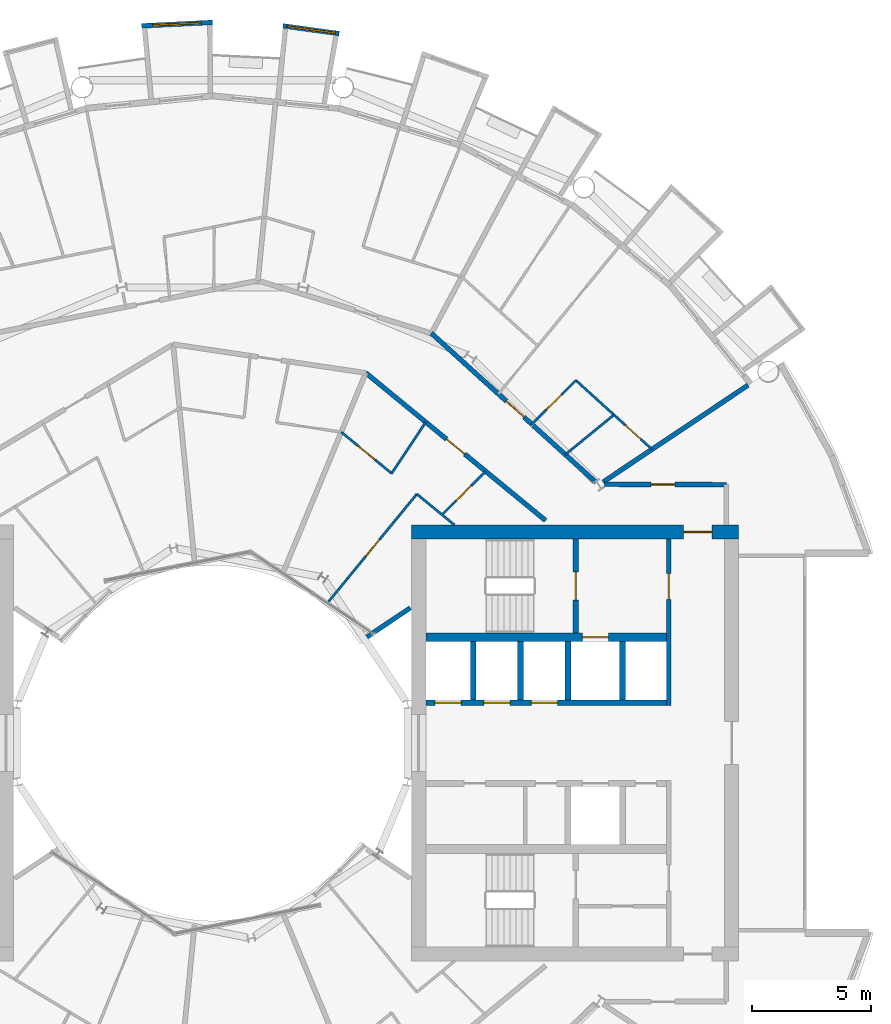
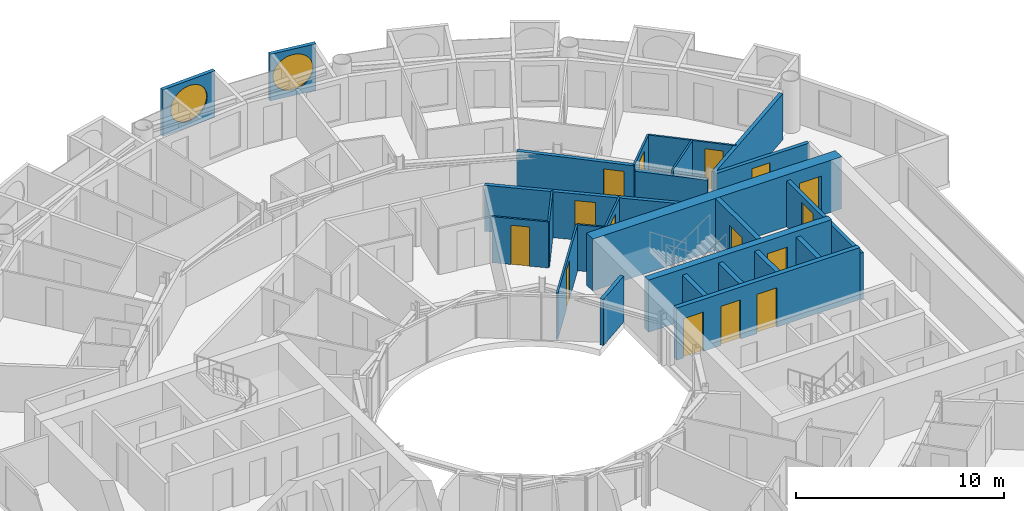
# One storey, part 22 of 28: 25 walls, 15 doors, 2 windows, 17 openings.
"""IFC4 building model written with IfcOpenShell, lengths in metres."""

from ifc_helpers import new_model, si_unit, direction, frame, frame_2d, origin, place, context, subcontext, project, spatial, rectangle, circle, extrude, material, layer, layer_set, type_object, element, fill, save


model = new_model("IFC4")

# Units and contexts
model_context = context("Model", 3, precision=1e-05, world=origin(), true_north=direction((0.0, 1.0)))
body_context = subcontext(model_context, "Body", "Model", "MODEL_VIEW")
ifc_project = project(units=[si_unit("LENGTHUNIT", "METRE"), si_unit("AREAUNIT", "SQUARE_METRE"), si_unit("VOLUMEUNIT", "CUBIC_METRE"), si_unit("PLANEANGLEUNIT", "RADIAN"), si_unit("MASSUNIT", "GRAM", prefix="KILO")], contexts=[model_context])

# Site, building, storey
site_placement = place(None, origin())
site = spatial("IfcSite", under=ifc_project, at=site_placement, CompositionType="ELEMENT")
building_placement = place(site_placement, origin())
building = spatial("IfcBuilding", under=site, at=building_placement, Name="Maasbend Ring Residences", CompositionType="ELEMENT")
storey_placement = place(building_placement, frame((0.0, 0.0, 133.0)))
storey = spatial("IfcBuildingStorey", under=building, at=storey_placement, Name="L38", CompositionType="ELEMENT", Elevation=133.0)

# Wall, openings, doors
ifc_material_1 = material(Name="Concrete C60/75", Category="concrete")
ifc_layer_1 = layer(ifc_material_1, 0.25)
ifc_layer_set_1 = layer_set([ifc_layer_1], Name="Concrete C60/75")
wall_type_1 = type_object("IfcWallType", Name="CORE WALL 250 C60/75", PredefinedType="SHEAR", material=ifc_layer_set_1)
wall_1_placement = place(storey_placement, frame((9.0, 1.699951171875, 0.0), z_axis=(0.0, 0.0, 1.0), x_axis=(1.0, 0.0, 0.0)))
wall_1 = element("IfcWall", 1, at=wall_1_placement, inside=storey, type_object=wall_type_1, Name="L38 core E wall SPN", PredefinedType="SHEAR", context=body_context, shape_type="SweptSolid", body=[
    extrude(rectangle(XDim=10.14990234375, YDim=0.25, at=frame_2d((5.074951171875, 0.0))), origin(), (0.0, 0.0, 1.0), 3.050048828125),
])
opening_1_placement = place(wall_1_placement, frame((0.387451171875, 0.0, 0.0)))
opening_1 = element("IfcOpeningElement", 2, at=opening_1_placement, cuts=wall_1, Name="Opening LD-E3801", PredefinedType="OPENING", context=body_context, shape_type="SweptSolid", body=[
    extrude(rectangle(XDim=1.10009765625, YDim=2.300048828125, at=frame_2d((0.550048828125, 1.14990234375))), frame((0.0, 0.135009765625, 0.0), z_axis=(0.0, -1.0, 0.0), x_axis=(1.0, 0.0, 0.0)), (0.0, 0.0, 1.0), 0.27001953125),
])
opening_2_placement = place(wall_1_placement, frame((2.449951171875, 0.0, 0.0)))
opening_2 = element("IfcOpeningElement", 3, at=opening_2_placement, cuts=wall_1, Name="Opening LD-E3802", PredefinedType="OPENING", context=body_context, shape_type="SweptSolid", body=[
    extrude(rectangle(XDim=1.10009765625, YDim=2.300048828125, at=frame_2d((0.550048828125, 1.14990234375))), frame((0.0, 0.135009765625, 0.0), z_axis=(0.0, -1.0, 0.0), x_axis=(1.0, 0.0, 0.0)), (0.0, 0.0, 1.0), 0.27001953125),
])
opening_3_placement = place(wall_1_placement, frame((4.449951171875, 0.0, 0.0)))
opening_3 = element("IfcOpeningElement", 4, at=opening_3_placement, cuts=wall_1, Name="Opening LD-E3803", PredefinedType="OPENING", context=body_context, shape_type="SweptSolid", body=[
    extrude(rectangle(XDim=1.10009765625, YDim=2.300048828125, at=frame_2d((0.550048828125, 1.14990234375))), frame((0.0, 0.135009765625, 0.0), z_axis=(0.0, -1.0, 0.0), x_axis=(1.0, 0.0, 0.0)), (0.0, 0.0, 1.0), 0.27001953125),
])
ifc_material_2 = material(Name="Stainless steel 316", Category="steel")
door_type_1 = type_object("IfcDoorType", Name="LANDING DOOR 1100 X 2300 FD60", OperationType="DOUBLE_DOOR_SLIDING", PredefinedType="DOOR", material=ifc_material_2)
door_1_placement = place(opening_1_placement, origin())
door_1 = element("IfcDoor", 5, at=door_1_placement, inside=storey, type_object=door_type_1, Name="Landing door LR-E1 L38", OperationType="DOUBLE_DOOR_SLIDING", OverallHeight=2.300048828125, OverallWidth=1.10009765625, PredefinedType="DOOR", context=body_context, shape_type="SweptSolid", body=[
    extrude(rectangle(XDim=1.10009765625, YDim=2.300048828125, at=frame_2d((0.550048828125, 1.14990234375))), frame((0.0, 0.02490234375, 0.0), z_axis=(0.0, -1.0, 0.0), x_axis=(1.0, 0.0, 0.0)), (0.0, 0.0, 1.0), 0.050048828125),
])
fill(opening_1, door_1)
door_2_placement = place(opening_2_placement, origin())
door_2 = element("IfcDoor", 6, at=door_2_placement, inside=storey, type_object=door_type_1, Name="Landing door LR-E2 L38", OperationType="DOUBLE_DOOR_SLIDING", OverallHeight=2.300048828125, OverallWidth=1.10009765625, PredefinedType="DOOR", context=body_context, shape_type="SweptSolid", body=[
    extrude(rectangle(XDim=1.10009765625, YDim=2.300048828125, at=frame_2d((0.550048828125, 1.14990234375))), frame((0.0, 0.02490234375, 0.0), z_axis=(0.0, -1.0, 0.0), x_axis=(1.0, 0.0, 0.0)), (0.0, 0.0, 1.0), 0.050048828125),
])
fill(opening_2, door_2)
door_3_placement = place(opening_3_placement, origin())
door_3 = element("IfcDoor", 7, at=door_3_placement, inside=storey, type_object=door_type_1, Name="Landing door LR-E3 L38", OperationType="DOUBLE_DOOR_SLIDING", OverallHeight=2.300048828125, OverallWidth=1.10009765625, PredefinedType="DOOR", context=body_context, shape_type="SweptSolid", body=[
    extrude(rectangle(XDim=1.10009765625, YDim=2.300048828125, at=frame_2d((0.550048828125, 1.14990234375))), frame((0.0, 0.02490234375, 0.0), z_axis=(0.0, -1.0, 0.0), x_axis=(1.0, 0.0, 0.0)), (0.0, 0.0, 1.0), 0.050048828125),
])
fill(opening_3, door_3)

# Wall, opening, door
wall_2_placement = place(storey_placement, frame((15.324951171875, 4.64990234375, 0.0), z_axis=(0.0, 0.0, 1.0), x_axis=(0.0, 1.0, 0.0)))
wall_2 = element("IfcWall", 8, at=wall_2_placement, inside=storey, type_object=wall_type_1, Name="L38 core E wall STEN", PredefinedType="SHEAR", context=body_context, shape_type="SweptSolid", body=[
    extrude(rectangle(XDim=3.9501953125, YDim=0.25, at=frame_2d((1.97509765625, 0.0))), origin(), (0.0, 0.0, 1.0), 3.050048828125),
])
opening_4_placement = place(wall_2_placement, frame((1.375, 0.0, 0.0)))
opening_4 = element("IfcOpeningElement", 9, at=opening_4_placement, cuts=wall_2, Name="Opening D-E3810", PredefinedType="OPENING", context=body_context, shape_type="SweptSolid", body=[
    extrude(rectangle(XDim=1.199951171875, YDim=2.300048828125, at=frame_2d((0.60009765625, 1.14990234375))), frame((0.0, 0.135009765625, 0.0), z_axis=(0.0, -1.0, 0.0), x_axis=(1.0, 0.0, 0.0)), (0.0, 0.0, 1.0), 0.27001953125),
])
ifc_material_3 = material(Name="Steel, powder coated", Category="steel")
door_type_2 = type_object("IfcDoorType", Name="STAIR DOOR 1200 X 2300 FD60", OperationType="NOTDEFINED", PredefinedType="DOOR", material=ifc_material_3)
door_4_placement = place(opening_4_placement, origin())
door_4 = element("IfcDoor", 10, at=door_4_placement, inside=storey, type_object=door_type_2, Name="Stair door ST-E L38", OperationType="SINGLE_SWING_LEFT", OverallHeight=2.300048828125, OverallWidth=1.199951171875, PredefinedType="DOOR", context=body_context, shape_type="SweptSolid", body=[
    extrude(rectangle(XDim=1.199951171875, YDim=2.300048828125, at=frame_2d((0.60009765625, 1.14990234375))), frame((0.0, 0.02490234375, 0.0), z_axis=(0.0, -1.0, 0.0), x_axis=(1.0, 0.0, 0.0)), (0.0, 0.0, 1.0), 0.050048828125),
])
fill(opening_4, door_4)

ifc_material_4 = material(Name="Concrete C60/75", Category="concrete")
ifc_layer_2 = layer(ifc_material_4, 0.375)
ifc_layer_set_2 = layer_set([ifc_layer_2], Name="Concrete C60/75")
wall_type_2 = type_object("IfcWallType", Name="CORE WALL 375 C60/75", PredefinedType="SHEAR", material=ifc_layer_set_2)
wall_3_placement = place(storey_placement, frame((9.0, 4.46240234375, 0.0), z_axis=(0.0, 0.0, 1.0), x_axis=(1.0, 0.0, 0.0)))
wall_3 = element("IfcWall", 11, at=wall_3_placement, inside=storey, type_object=wall_type_2, Name="L38 core E wall BN", PredefinedType="SHEAR", context=body_context, shape_type="SweptSolid", body=[
    extrude(rectangle(XDim=10.14990234375, YDim=0.375, at=frame_2d((5.074951171875, 0.0))), origin(), (0.0, 0.0, 1.0), 3.050048828125),
])
opening_5_placement = place(wall_3_placement, frame((6.60009765625, 0.0, 0.0)))
opening_5 = element("IfcOpeningElement", 12, at=opening_5_placement, cuts=wall_3, Name="Opening LD-E3804", PredefinedType="OPENING", context=body_context, shape_type="SweptSolid", body=[
    extrude(rectangle(XDim=1.10009765625, YDim=2.300048828125, at=frame_2d((0.550048828125, 1.14990234375))), frame((0.0, 0.197509765625, 0.0), z_axis=(0.0, -1.0, 0.0), x_axis=(1.0, 0.0, 0.0)), (0.0, 0.0, 1.0), 0.39501953125),
])
door_5_placement = place(opening_5_placement, origin())
door_5 = element("IfcDoor", 13, at=door_5_placement, inside=storey, type_object=door_type_1, Name="Landing door FF-E L38", OperationType="DOUBLE_DOOR_SLIDING", OverallHeight=2.300048828125, OverallWidth=1.10009765625, PredefinedType="DOOR", context=body_context, shape_type="SweptSolid", body=[
    extrude(rectangle(XDim=1.10009765625, YDim=2.300048828125, at=frame_2d((0.550048828125, 1.14990234375))), frame((0.0, 0.02490234375, 0.0), z_axis=(0.0, -1.0, 0.0), x_axis=(1.0, 0.0, 0.0)), (0.0, 0.0, 1.0), 0.050048828125),
])
fill(opening_5, door_5)

ifc_material_5 = material(Name="Concrete C60/75", Category="concrete")
ifc_layer_3 = layer(ifc_material_5, 0.60009765625)
ifc_layer_set_3 = layer_set([ifc_layer_3], Name="Concrete C60/75")
wall_type_3 = type_object("IfcWallType", Name="CORE WALL 600 C60/75", PredefinedType="SHEAR", material=ifc_layer_set_3)
wall_4_placement = place(storey_placement, frame((22.199951171875, 8.89990234375, 0.0), z_axis=(0.0, 0.0, 1.0), x_axis=(-1.0, 0.0, 0.0)))
wall_4 = element("IfcWall", 14, at=wall_4_placement, inside=storey, type_object=wall_type_3, Name="L38 core E wall PN", PredefinedType="SHEAR", context=body_context, shape_type="SweptSolid", body=[
    extrude(rectangle(XDim=13.800048828125, YDim=0.60009765625, at=frame_2d((6.89990234375, 0.0))), origin(), (0.0, 0.0, 1.0), 3.050048828125),
])
opening_6_placement = place(wall_4_placement, frame((1.125, 0.0, 0.0)))
opening_6 = element("IfcOpeningElement", 15, at=opening_6_placement, cuts=wall_4, Name="Opening D-E3814", PredefinedType="OPENING", context=body_context, shape_type="SweptSolid", body=[
    extrude(rectangle(XDim=1.199951171875, YDim=2.300048828125, at=frame_2d((0.60009765625, 1.14990234375))), frame((0.0, 0.31005859375, 0.0), z_axis=(0.0, -1.0, 0.0), x_axis=(1.0, 0.0, 0.0)), (0.0, 0.0, 1.0), 0.6201171875),
])
ifc_material_6 = material(Name="Steel, powder coated", Category="steel")
door_type_3 = type_object("IfcDoorType", Name="CORRIDOR DOOR 1200 X 2300 FD30S", OperationType="NOTDEFINED", PredefinedType="DOOR", material=ifc_material_6)
door_6_placement = place(opening_6_placement, origin())
door_6 = element("IfcDoor", 16, at=door_6_placement, inside=storey, type_object=door_type_3, Name="Corridor door L38", OperationType="SINGLE_SWING_RIGHT", OverallHeight=2.300048828125, OverallWidth=1.199951171875, PredefinedType="DOOR", context=body_context, shape_type="SweptSolid", body=[
    extrude(rectangle(XDim=1.199951171875, YDim=2.300048828125, at=frame_2d((0.60009765625, 1.14990234375))), frame((0.0, 0.02490234375, 0.0), z_axis=(0.0, -1.0, 0.0), x_axis=(1.0, 0.0, 0.0)), (0.0, 0.0, 1.0), 0.050048828125),
])
fill(opening_6, door_6)

ifc_material_7 = material(Name="Concrete C30/37", Category="concrete")
ifc_layer_4 = layer(ifc_material_7, 0.199951171875)
ifc_layer_set_4 = layer_set([ifc_layer_4], Name="Concrete C30/37")
wall_type_4 = type_object("IfcWallType", Name="CORRIDOR WALL 200 CONCRETE", PredefinedType="PARTITIONING", material=ifc_layer_set_4)
wall_5_placement = place(storey_placement, frame((16.5400390625, 10.9130859375, 0.0), z_axis=(0.0, 0.0, 1.0), x_axis=(0.99999670426, -0.002567385634, 0.0)))
wall_5 = element("IfcWall", 17, at=wall_5_placement, inside=storey, type_object=wall_type_4, Name="U-L38-w099", PredefinedType="PARTITIONING", context=body_context, shape_type="SweptSolid", body=[
    extrude(rectangle(XDim=5.135009765625, YDim=0.199951171875, at=frame_2d((2.5673828125, 0.0))), origin(), (0.0, 0.0, 1.0), 2.699951171875),
])
opening_7_placement = place(wall_5_placement, frame((1.965087890625, 0.0, 0.0)))
opening_7 = element("IfcOpeningElement", 18, at=opening_7_placement, cuts=wall_5, Name="Opening D-3874", PredefinedType="OPENING", context=body_context, shape_type="SweptSolid", body=[
    extrude(rectangle(XDim=1.0, YDim=2.300048828125, at=frame_2d((0.5, 1.14990234375))), frame((0.0, 0.10986328125, 0.0), z_axis=(0.0, -1.0, 0.0), x_axis=(1.0, 0.0, 0.0)), (0.0, 0.0, 1.0), 0.219970703125),
])
ifc_material_8 = material(Name="Timber, painted", Category="wood")
door_type_4 = type_object("IfcDoorType", Name="ROOM DOOR 1000 X 2300", OperationType="NOTDEFINED", PredefinedType="DOOR", material=ifc_material_8)
door_7_placement = place(opening_7_placement, origin())
door_7 = element("IfcDoor", 19, at=door_7_placement, inside=storey, type_object=door_type_4, Name="D-3874", OperationType="SINGLE_SWING_LEFT", OverallHeight=2.300048828125, OverallWidth=1.0, PredefinedType="DOOR", context=body_context, shape_type="SweptSolid", body=[
    extrude(rectangle(XDim=1.0, YDim=2.300048828125, at=frame_2d((0.5, 1.14990234375))), frame((0.0, 0.02490234375, 0.0), z_axis=(0.0, -1.0, 0.0), x_axis=(1.0, 0.0, 0.0)), (0.0, 0.0, 1.0), 0.050048828125),
])
fill(opening_7, door_7)

wall_6_placement = place(storey_placement, frame((6.469970703125, 15.613037109375, 0.0), z_axis=(0.0, 0.0, 1.0), x_axis=(0.77292501819, -0.634497372931, 0.0)))
wall_6 = element("IfcWall", 20, at=wall_6_placement, inside=storey, type_object=wall_type_4, Name="U-L38-w107", PredefinedType="PARTITIONING", context=body_context, shape_type="SweptSolid", body=[
    extrude(rectangle(XDim=9.8095703125, YDim=0.199951171875, at=frame_2d((4.90478515625, 0.0))), origin(), (0.0, 0.0, 1.0), 2.699951171875),
])
opening_8_placement = place(wall_6_placement, frame((4.404052734375, 0.0, 0.0)))
opening_8 = element("IfcOpeningElement", 21, at=opening_8_placement, cuts=wall_6, Name="Opening D-3824", PredefinedType="OPENING", context=body_context, shape_type="SweptSolid", body=[
    extrude(rectangle(XDim=1.0, YDim=2.300048828125, at=frame_2d((0.5, 1.14990234375))), frame((0.0, 0.10986328125, 0.0), z_axis=(0.0, -1.0, 0.0), x_axis=(1.0, 0.0, 0.0)), (0.0, 0.0, 1.0), 0.219970703125),
])
ifc_material_9 = material(Name="Timber, fire-rated, painted", Category="wood")
door_type_5 = type_object("IfcDoorType", Name="FLAT ENTRANCE DOOR 1000 X 2300 FIRE-RATED", OperationType="NOTDEFINED", PredefinedType="DOOR", material=ifc_material_9)
door_8_placement = place(opening_8_placement, origin())
door_8 = element("IfcDoor", 22, at=door_8_placement, inside=storey, type_object=door_type_5, Name="D-3824", OperationType="SINGLE_SWING_LEFT", OverallHeight=2.300048828125, OverallWidth=1.0, PredefinedType="DOOR", context=body_context, shape_type="SweptSolid", body=[
    extrude(rectangle(XDim=1.0, YDim=2.300048828125, at=frame_2d((0.5, 1.14990234375))), frame((0.0, 0.02490234375, 0.0), z_axis=(0.0, -1.0, 0.0), x_axis=(1.0, 0.0, 0.0)), (0.0, 0.0, 1.0), 0.050048828125),
])
fill(opening_8, door_8)

wall_7_placement = place(storey_placement, frame((9.23193359375, 17.2890625, 0.0), z_axis=(0.0, 0.0, 1.0), x_axis=(0.741112328493, -0.67138105168, 0.0)))
wall_7 = element("IfcWall", 23, at=wall_7_placement, inside=storey, type_object=wall_type_4, Name="U-L38-w114", PredefinedType="PARTITIONING", context=body_context, shape_type="SweptSolid", body=[
    extrude(rectangle(XDim=5.75244140625, YDim=0.199951171875, at=frame_2d((2.876220703125, 0.0))), origin(), (0.0, 0.0, 1.0), 2.699951171875),
])
opening_9_placement = place(wall_7_placement, frame((4.27001953125, 0.0, 0.0)))
opening_9 = element("IfcOpeningElement", 24, at=opening_9_placement, cuts=wall_7, Name="Opening D-3801", PredefinedType="OPENING", context=body_context, shape_type="SweptSolid", body=[
    extrude(rectangle(XDim=1.0, YDim=2.300048828125, at=frame_2d((0.5, 1.14990234375))), frame((0.0, 0.10986328125, 0.0), z_axis=(0.0, -1.0, 0.0), x_axis=(1.0, 0.0, 0.0)), (0.0, 0.0, 1.0), 0.219970703125),
])
door_9_placement = place(opening_9_placement, origin())
door_9 = element("IfcDoor", 25, at=door_9_placement, inside=storey, type_object=door_type_5, Name="D-3801", OperationType="SINGLE_SWING_RIGHT", OverallHeight=2.300048828125, OverallWidth=1.0, PredefinedType="DOOR", context=body_context, shape_type="SweptSolid", body=[
    extrude(rectangle(XDim=1.0, YDim=2.300048828125, at=frame_2d((0.5, 1.14990234375))), frame((0.0, 0.02490234375, 0.0), z_axis=(0.0, -1.0, 0.0), x_axis=(1.0, 0.0, 0.0)), (0.0, 0.0, 1.0), 0.050048828125),
])
fill(opening_9, door_9)

# Wall
wall_8_placement = place(storey_placement, frame((13.531005859375, 13.39404296875, 0.0), z_axis=(0.0, 0.0, 1.0), x_axis=(0.741095315462, -0.671399831249, 0.0)))
element("IfcWall", 26, at=wall_8_placement, inside=storey, type_object=wall_type_4, Name="U-L38-w115", PredefinedType="PARTITIONING", context=body_context, shape_type="SweptSolid", body=[
    extrude(rectangle(XDim=3.572998046875, YDim=0.199951171875, at=frame_2d((1.78662109375, 0.0))), origin(), (0.0, 0.0, 1.0), 2.389892578125),
])

# Wall, opening, window
ifc_material_10 = material(Name="Pale anodised aluminium panel", Category="aluminium")
ifc_layer_5 = layer(ifc_material_10, 0.199951171875)
ifc_layer_set_5 = layer_set([ifc_layer_5], Name="EW-BOX")
wall_type_5 = type_object("IfcWallType", Name="EW-BOX", PredefinedType="SOLIDWALL", material=ifc_layer_set_5)
wall_9_placement = place(storey_placement, frame((5.344970703125, 29.927001953125, -0.030029296875), z_axis=(0.0, 0.0, 1.0), x_axis=(-0.99061207328, 0.136703036805, 0.0)))
wall_9 = element("IfcWall", 27, at=wall_9_placement, inside=storey, type_object=wall_type_5, Name="Box front N09", PredefinedType="SOLIDWALL", context=body_context, shape_type="SweptSolid", body=[
    extrude(rectangle(XDim=2.391357421875, YDim=0.199951171875, at=frame_2d((1.19580078125, 0.0))), origin(), (0.0, 0.0, 1.0), 2.72998046875),
])
opening_10_placement = place(wall_9_placement, frame((0.15576171875, 0.0, 0.330078125)))
opening_10 = element("IfcOpeningElement", 28, at=opening_10_placement, cuts=wall_9, Name="Opening W-RD", PredefinedType="OPENING", context=body_context, shape_type="SweptSolid", body=[
    extrude(circle(Radius=1.0400390625, at=frame_2d((1.0400390625, 1.0400390625))), frame((0.0, 0.10986328125, 0.0), z_axis=(0.0, -1.0, 0.0), x_axis=(1.0, 0.0, 0.0)), (0.0, 0.0, 1.0), 0.219970703125),
])
ifc_material_11 = material(Name="Aluminium and clear glass", Category="aluminium")
window_type = type_object("IfcWindowType", Name="W-RD", PartitioningType="SINGLE_PANEL", PredefinedType="WINDOW", material=ifc_material_11)
window_1_placement = place(opening_10_placement, origin())
window_1 = element("IfcWindow", 29, at=window_1_placement, inside=storey, type_object=window_type, Name="Round window N09", OverallHeight=2.080078125, OverallWidth=2.080078125, PartitioningType="SINGLE_PANEL", PredefinedType="WINDOW", context=body_context, shape_type="SweptSolid", body=[
    extrude(circle(Radius=1.0400390625, at=frame_2d((1.0400390625, 1.0400390625))), frame((0.0, 0.030029296875, 0.0), z_axis=(0.0, -1.0, 0.0), x_axis=(1.0, 0.0, 0.0)), (0.0, 0.0, 1.0), 0.06005859375),
])
fill(opening_10, window_1)

wall_10_placement = place(storey_placement, frame((0.0048828125, 30.39990234375, -0.030029296875), z_axis=(0.0, 0.0, 1.0), x_axis=(-0.998794083011, -0.049095618353, 0.0)))
wall_10 = element("IfcWall", 30, at=wall_10_placement, inside=storey, type_object=wall_type_5, Name="Box front N11", PredefinedType="SOLIDWALL", context=body_context, shape_type="SweptSolid", body=[
    extrude(rectangle(XDim=2.99365234375, YDim=0.199951171875, at=frame_2d((1.496826171875, 0.0))), origin(), (0.0, 0.0, 1.0), 2.72998046875),
])
opening_11_placement = place(wall_10_placement, frame((0.45654296875, 0.0, 0.330078125)))
opening_11 = element("IfcOpeningElement", 31, at=opening_11_placement, cuts=wall_10, Name="Opening W-RD", PredefinedType="OPENING", context=body_context, shape_type="SweptSolid", body=[
    extrude(circle(Radius=1.0400390625, at=frame_2d((1.0400390625, 1.0400390625))), frame((0.0, 0.10986328125, 0.0), z_axis=(0.0, -1.0, 0.0), x_axis=(1.0, 0.0, 0.0)), (0.0, 0.0, 1.0), 0.219970703125),
])
window_2_placement = place(opening_11_placement, origin())
window_2 = element("IfcWindow", 32, at=window_2_placement, inside=storey, type_object=window_type, Name="Round window N11", OverallHeight=2.080078125, OverallWidth=2.080078125, PartitioningType="SINGLE_PANEL", PredefinedType="WINDOW", context=body_context, shape_type="SweptSolid", body=[
    extrude(circle(Radius=1.0400390625, at=frame_2d((1.0400390625, 1.0400390625))), frame((0.0, 0.030029296875, 0.0), z_axis=(0.0, -1.0, 0.0), x_axis=(1.0, 0.0, 0.0)), (0.0, 0.0, 1.0), 0.06005859375),
])
fill(opening_11, window_2)

# Wall, opening, door
ifc_material_12 = material(Name="Gypsum board on steel studs", Category="steel")
ifc_layer_6 = layer(ifc_material_12, 0.10009765625)
ifc_layer_set_6 = layer_set([ifc_layer_6], Name="PARTITION 100 GYPSUM")
wall_type_6 = type_object("IfcWallType", Name="PARTITION 100 GYPSUM", PredefinedType="PARTITIONING", material=ifc_layer_set_6)
wall_11_placement = place(storey_placement, frame((4.89892578125, 5.967041015625, 0.0), z_axis=(0.0, 0.0, 1.0), x_axis=(0.634358693064, 0.773038840249, 0.0)))
wall_11 = element("IfcWall", 33, at=wall_11_placement, inside=storey, type_object=wall_type_6, Name="U-L38-w075", PredefinedType="PARTITIONING", context=body_context, shape_type="SweptSolid", body=[
    extrude(rectangle(XDim=5.86767578125, YDim=0.10009765625, at=frame_2d((2.933837890625, 0.0))), origin(), (0.0, 0.0, 1.0), 2.699951171875),
])
opening_12_placement = place(wall_11_placement, frame((2.48388671875, 0.0, 0.0)))
opening_12 = element("IfcOpeningElement", 34, at=opening_12_placement, cuts=wall_11, Name="Opening D-3827", PredefinedType="OPENING", context=body_context, shape_type="SweptSolid", body=[
    extrude(rectangle(XDim=0.89990234375, YDim=2.300048828125, at=frame_2d((0.449951171875, 1.14990234375))), frame((0.0, 0.06005859375, 0.0), z_axis=(0.0, -1.0, 0.0), x_axis=(1.0, 0.0, 0.0)), (0.0, 0.0, 1.0), 0.1201171875),
])
ifc_material_13 = material(Name="Timber, painted", Category="wood")
door_type_6 = type_object("IfcDoorType", Name="INTERNAL DOOR 900 X 2300", OperationType="NOTDEFINED", PredefinedType="DOOR", material=ifc_material_13)
door_10_placement = place(opening_12_placement, origin())
door_10 = element("IfcDoor", 35, at=door_10_placement, inside=storey, type_object=door_type_6, Name="D-3827", OperationType="SINGLE_SWING_RIGHT", OverallHeight=2.300048828125, OverallWidth=0.89990234375, PredefinedType="DOOR", context=body_context, shape_type="SweptSolid", body=[
    extrude(rectangle(XDim=0.89990234375, YDim=2.300048828125, at=frame_2d((0.449951171875, 1.14990234375))), frame((0.0, 0.02490234375, 0.0), z_axis=(0.0, -1.0, 0.0), x_axis=(1.0, 0.0, 0.0)), (0.0, 0.0, 1.0), 0.050048828125),
])
fill(opening_12, door_10)

# Wall
wall_12_placement = place(storey_placement, frame((7.56005859375, 11.375, 0.0), z_axis=(0.0, 0.0, 1.0), x_axis=(0.553354377247, 0.83294593653, 0.0)))
element("IfcWall", 36, at=wall_12_placement, inside=storey, type_object=wall_type_6, Name="U-L38-w079", PredefinedType="PARTITIONING", context=body_context, shape_type="SweptSolid", body=[
    extrude(rectangle(XDim=2.596923828125, YDim=0.10009765625, at=frame_2d((1.29833984375, 0.0))), origin(), (0.0, 0.0, 1.0), 2.699951171875),
])

# Wall, opening, door
wall_13_placement = place(storey_placement, frame((9.68310546875, 9.632080078125, 0.0), z_axis=(0.0, 0.0, 1.0), x_axis=(0.708796844581, 0.705412668665, 0.0)))
wall_13 = element("IfcWall", 37, at=wall_13_placement, inside=storey, type_object=wall_type_6, Name="U-L38-w085", PredefinedType="PARTITIONING", context=body_context, shape_type="SweptSolid", body=[
    extrude(rectangle(XDim=2.59716796875, YDim=0.10009765625, at=frame_2d((1.298583984375, 0.0))), origin(), (0.0, 0.0, 1.0), 2.699951171875),
])
opening_13_placement = place(wall_13_placement, frame((0.84912109375, 0.0, 0.0)))
opening_13 = element("IfcOpeningElement", 38, at=opening_13_placement, cuts=wall_13, Name="Opening D-3826", PredefinedType="OPENING", context=body_context, shape_type="SweptSolid", body=[
    extrude(rectangle(XDim=0.89990234375, YDim=2.300048828125, at=frame_2d((0.449951171875, 1.14990234375))), frame((0.0, 0.06005859375, 0.0), z_axis=(0.0, -1.0, 0.0), x_axis=(1.0, 0.0, 0.0)), (0.0, 0.0, 1.0), 0.1201171875),
])
door_11_placement = place(opening_13_placement, origin())
door_11 = element("IfcDoor", 39, at=door_11_placement, inside=storey, type_object=door_type_6, Name="D-3826", OperationType="SINGLE_SWING_LEFT", OverallHeight=2.300048828125, OverallWidth=0.89990234375, PredefinedType="DOOR", context=body_context, shape_type="SweptSolid", body=[
    extrude(rectangle(XDim=0.89990234375, YDim=2.300048828125, at=frame_2d((0.449951171875, 1.14990234375))), frame((0.0, 0.02490234375, 0.0), z_axis=(0.0, -1.0, 0.0), x_axis=(1.0, 0.0, 0.0)), (0.0, 0.0, 1.0), 0.050048828125),
])
fill(opening_13, door_11)

wall_14_placement = place(storey_placement, frame((13.47412109375, 13.447998046875, 0.0), z_axis=(0.0, 0.0, 1.0), x_axis=(0.707851299421, 0.706361478217, 0.0)))
wall_14 = element("IfcWall", 40, at=wall_14_placement, inside=storey, type_object=wall_type_6, Name="U-L38-w091", PredefinedType="PARTITIONING", context=body_context, shape_type="SweptSolid", body=[
    extrude(rectangle(XDim=2.6220703125, YDim=0.10009765625, at=frame_2d((1.31103515625, 0.0))), origin(), (0.0, 0.0, 1.0), 2.699951171875),
])
opening_14_placement = place(wall_14_placement, frame((0.861083984375, 0.0, 0.0)))
opening_14 = element("IfcOpeningElement", 41, at=opening_14_placement, cuts=wall_14, Name="Opening D-3803", PredefinedType="OPENING", context=body_context, shape_type="SweptSolid", body=[
    extrude(rectangle(XDim=0.89990234375, YDim=2.300048828125, at=frame_2d((0.449951171875, 1.14990234375))), frame((0.0, 0.06005859375, 0.0), z_axis=(0.0, -1.0, 0.0), x_axis=(1.0, 0.0, 0.0)), (0.0, 0.0, 1.0), 0.1201171875),
])
door_12_placement = place(opening_14_placement, origin())
door_12 = element("IfcDoor", 42, at=door_12_placement, inside=storey, type_object=door_type_6, Name="D-3803", OperationType="SINGLE_SWING_LEFT", OverallHeight=2.300048828125, OverallWidth=0.89990234375, PredefinedType="DOOR", context=body_context, shape_type="SweptSolid", body=[
    extrude(rectangle(XDim=0.89990234375, YDim=2.300048828125, at=frame_2d((0.449951171875, 1.14990234375))), frame((0.0, 0.02490234375, 0.0), z_axis=(0.0, -1.0, 0.0), x_axis=(1.0, 0.0, 0.0)), (0.0, 0.0, 1.0), 0.050048828125),
])
fill(opening_14, door_12)

# Wall
wall_15_placement = place(storey_placement, frame((14.885009765625, 12.16796875, 0.0), z_axis=(0.0, 0.0, 1.0), x_axis=(0.774162545943, 0.632986850147, 0.0)))
element("IfcWall", 43, at=wall_15_placement, inside=storey, type_object=wall_type_6, Name="U-L38-w093", PredefinedType="PARTITIONING", context=body_context, shape_type="SweptSolid", body=[
    extrude(rectangle(XDim=2.6494140625, YDim=0.10009765625, at=frame_2d((1.32470703125, 0.0))), origin(), (0.0, 0.0, 1.0), 2.699951171875),
])

# Wall, opening, door
wall_16_placement = place(storey_placement, frame((5.430908203125, 13.1201171875, 0.0), z_axis=(0.0, 0.0, 1.0), x_axis=(0.773149312811, -0.634224045665, 0.0)))
wall_16 = element("IfcWall", 44, at=wall_16_placement, inside=storey, type_object=wall_type_6, Name="U-L38-w102", PredefinedType="PARTITIONING", context=body_context, shape_type="SweptSolid", body=[
    extrude(rectangle(XDim=2.74853515625, YDim=0.10009765625, at=frame_2d((1.374267578125, 0.0))), origin(), (0.0, 0.0, 1.0), 2.699951171875),
])
opening_15_placement = place(wall_16_placement, frame((0.927001953125, 0.0, 0.0)))
opening_15 = element("IfcOpeningElement", 45, at=opening_15_placement, cuts=wall_16, Name="Opening D-3825", PredefinedType="OPENING", context=body_context, shape_type="SweptSolid", body=[
    extrude(rectangle(XDim=0.89990234375, YDim=2.300048828125, at=frame_2d((0.449951171875, 1.14990234375))), frame((0.0, 0.06005859375, 0.0), z_axis=(0.0, -1.0, 0.0), x_axis=(1.0, 0.0, 0.0)), (0.0, 0.0, 1.0), 0.1201171875),
])
door_13_placement = place(opening_15_placement, origin())
door_13 = element("IfcDoor", 46, at=door_13_placement, inside=storey, type_object=door_type_6, Name="D-3825", OperationType="SINGLE_SWING_RIGHT", OverallHeight=2.300048828125, OverallWidth=0.89990234375, PredefinedType="DOOR", context=body_context, shape_type="SweptSolid", body=[
    extrude(rectangle(XDim=0.89990234375, YDim=2.300048828125, at=frame_2d((0.449951171875, 1.14990234375))), frame((0.0, 0.02490234375, 0.0), z_axis=(0.0, -1.0, 0.0), x_axis=(1.0, 0.0, 0.0)), (0.0, 0.0, 1.0), 0.050048828125),
])
fill(opening_15, door_13)

# Wall
wall_17_placement = place(storey_placement, frame((8.617919921875, 10.506103515625, 0.0), z_axis=(0.0, 0.0, 1.0), x_axis=(0.772998703631, -0.634407600983, 0.0)))
element("IfcWall", 47, at=wall_17_placement, inside=storey, type_object=wall_type_6, Name="U-L38-w103", PredefinedType="PARTITIONING", context=body_context, shape_type="SweptSolid", body=[
    extrude(rectangle(XDim=2.0556640625, YDim=0.10009765625, at=frame_2d((1.02783203125, 0.0))), origin(), (0.0, 0.0, 1.0), 2.699951171875),
])

# Wall, opening, door
wall_18_placement = place(storey_placement, frame((15.330078125, 15.300048828125, 0.0), z_axis=(0.0, 0.0, 1.0), x_axis=(0.740948416939, -0.671561943112, 0.0)))
wall_18 = element("IfcWall", 48, at=wall_18_placement, inside=storey, type_object=wall_type_6, Name="U-L38-w122", PredefinedType="PARTITIONING", context=body_context, shape_type="SweptSolid", body=[
    extrude(rectangle(XDim=4.3349609375, YDim=0.10009765625, at=frame_2d((2.16748046875, 0.0))), origin(), (0.0, 0.0, 1.0), 2.699951171875),
])
opening_16_placement = place(wall_18_placement, frame((2.802978515625, 0.0, 0.0)))
opening_16 = element("IfcOpeningElement", 49, at=opening_16_placement, cuts=wall_18, Name="Opening D-3802", PredefinedType="OPENING", context=body_context, shape_type="SweptSolid", body=[
    extrude(rectangle(XDim=0.89990234375, YDim=2.300048828125, at=frame_2d((0.449951171875, 1.14990234375))), frame((0.0, 0.06005859375, 0.0), z_axis=(0.0, -1.0, 0.0), x_axis=(1.0, 0.0, 0.0)), (0.0, 0.0, 1.0), 0.1201171875),
])
door_14_placement = place(opening_16_placement, origin())
door_14 = element("IfcDoor", 50, at=door_14_placement, inside=storey, type_object=door_type_6, Name="D-3802", OperationType="SINGLE_SWING_RIGHT", OverallHeight=2.300048828125, OverallWidth=0.89990234375, PredefinedType="DOOR", context=body_context, shape_type="SweptSolid", body=[
    extrude(rectangle(XDim=0.89990234375, YDim=2.300048828125, at=frame_2d((0.449951171875, 1.14990234375))), frame((0.0, 0.02490234375, 0.0), z_axis=(0.0, -1.0, 0.0), x_axis=(1.0, 0.0, 0.0)), (0.0, 0.0, 1.0), 0.050048828125),
])
fill(opening_16, door_14)

# Walls
ifc_material_14 = material(Name="Concrete C30/37", Category="concrete")
ifc_layer_7 = layer(ifc_material_14, 0.199951171875)
ifc_layer_set_7 = layer_set([ifc_layer_7], Name="Concrete C30/37")
wall_type_7 = type_object("IfcWallType", Name="PARTY WALL 200 CONCRETE", PredefinedType="PARTITIONING", material=ifc_layer_set_7)
wall_19_placement = place(storey_placement, frame((16.47705078125, 11.009033203125, 0.0), z_axis=(0.0, 0.0, 1.0), x_axis=(0.831406593008, 0.555664536482, 0.0)))
element("IfcWall", 51, at=wall_19_placement, inside=storey, type_object=wall_type_7, Name="U-L38-w095", PredefinedType="PARTITIONING", context=body_context, shape_type="SweptSolid", body=[
    extrude(rectangle(XDim=7.3583984375, YDim=0.199951171875, at=frame_2d((3.67919921875, 0.0))), origin(), (0.0, 0.0, 1.0), 2.699951171875),
])
wall_20_placement = place(storey_placement, frame((6.512939453125, 4.471923828125, 0.0), z_axis=(0.0, 0.0, 1.0), x_axis=(0.831333375071, 0.555774072347, 0.0)))
element("IfcWall", 52, at=wall_20_placement, inside=storey, type_object=wall_type_7, Name="U-L38-w097", PredefinedType="PARTITIONING", context=body_context, shape_type="SweptSolid", body=[
    extrude(rectangle(XDim=2.20263671875, YDim=0.199951171875, at=frame_2d((1.101318359375, 0.0))), origin(), (0.0, 0.0, 1.0), 2.699951171875),
])

# Wall, opening, door
ifc_material_15 = material(Name="Concrete C30/37", Category="concrete")
ifc_layer_8 = layer(ifc_material_15, 0.199951171875)
ifc_layer_set_8 = layer_set([ifc_layer_8], Name="Concrete C30/37")
wall_type_8 = type_object("IfcWallType", Name="SHAFT WALL 200 EI 120", PredefinedType="SOLIDWALL", material=ifc_layer_set_8)
wall_21_placement = place(storey_placement, frame((19.25, 1.574951171875, 0.0), z_axis=(0.0, 0.0, 1.0), x_axis=(0.0, 1.0, 0.0)))
wall_21 = element("IfcWall", 53, at=wall_21_placement, inside=storey, type_object=wall_type_8, Name="L38 core E wall ENDN", PredefinedType="SOLIDWALL", context=body_context, shape_type="SweptSolid", body=[
    extrude(rectangle(XDim=7.025146484375, YDim=0.199951171875, at=frame_2d((3.5126953125, 0.0))), origin(), (0.0, 0.0, 1.0), 2.699951171875),
])
opening_17_placement = place(wall_21_placement, frame((4.47509765625, 0.0, 0.0)))
opening_17 = element("IfcOpeningElement", 54, at=opening_17_placement, cuts=wall_21, Name="Opening D-E3812", PredefinedType="OPENING", context=body_context, shape_type="SweptSolid", body=[
    extrude(rectangle(XDim=1.10009765625, YDim=2.300048828125, at=frame_2d((0.550048828125, 1.14990234375))), frame((0.0, 0.10986328125, 0.0), z_axis=(0.0, -1.0, 0.0), x_axis=(1.0, 0.0, 0.0)), (0.0, 0.0, 1.0), 0.219970703125),
])
ifc_material_16 = material(Name="Steel, powder coated", Category="steel")
door_type_7 = type_object("IfcDoorType", Name="LOBBY DOOR 1100 X 2300 FD60", OperationType="NOTDEFINED", PredefinedType="DOOR", material=ifc_material_16)
door_15_placement = place(opening_17_placement, origin())
door_15 = element("IfcDoor", 55, at=door_15_placement, inside=storey, type_object=door_type_7, Name="Lobby door L38", OperationType="SINGLE_SWING_LEFT", OverallHeight=2.300048828125, OverallWidth=1.10009765625, PredefinedType="DOOR", context=body_context, shape_type="SweptSolid", body=[
    extrude(rectangle(XDim=1.10009765625, YDim=2.300048828125, at=frame_2d((0.550048828125, 1.14990234375))), frame((0.0, 0.02490234375, 0.0), z_axis=(0.0, -1.0, 0.0), x_axis=(1.0, 0.0, 0.0)), (0.0, 0.0, 1.0), 0.050048828125),
])
fill(opening_17, door_15)

# Walls
ifc_material_17 = material(Name="Concrete C30/37", Category="concrete")
ifc_layer_9 = layer(ifc_material_17, 0.25)
ifc_layer_set_9 = layer_set([ifc_layer_9], Name="Concrete C30/37")
wall_type_9 = type_object("IfcWallType", Name="SHAFT WALL 250 EI 120", PredefinedType="SOLIDWALL", material=ifc_layer_set_9)
for number, where, z_axis, x_axis, name in (
    (56, (15.0, 1.824951171875, 0.0), (0.0, 0.0, 1.0), (0.0, 1.0, 0.0), "L38 core E wall D150N"),
    (57, (17.300048828125, 1.824951171875, 0.0), (0.0, 0.0, 1.0), (0.0, 1.0, 0.0), "L38 core E wall D173N"),
    (58, (11.0, 1.824951171875, 0.0), (0.0, 0.0, 1.0), (0.0, 1.0, 0.0), "L38 core E wall D110N"),
    (59, (13.0, 1.824951171875, 0.0), (0.0, 0.0, 1.0), (0.0, 1.0, 0.0), "L38 core E wall D130N"),
):
    element("IfcWall", number, at=place(storey_placement, frame(where, z_axis=z_axis, x_axis=x_axis)), inside=storey, type_object=wall_type_9, Name=name, PredefinedType="SOLIDWALL", context=body_context, shape_type="SweptSolid", body=[
        extrude(rectangle(XDim=2.449951171875, YDim=0.25, at=frame_2d((1.22509765625, 0.0))), origin(), (0.0, 0.0, 1.0), 2.699951171875),
    ])

save(model, "model.ifc")
